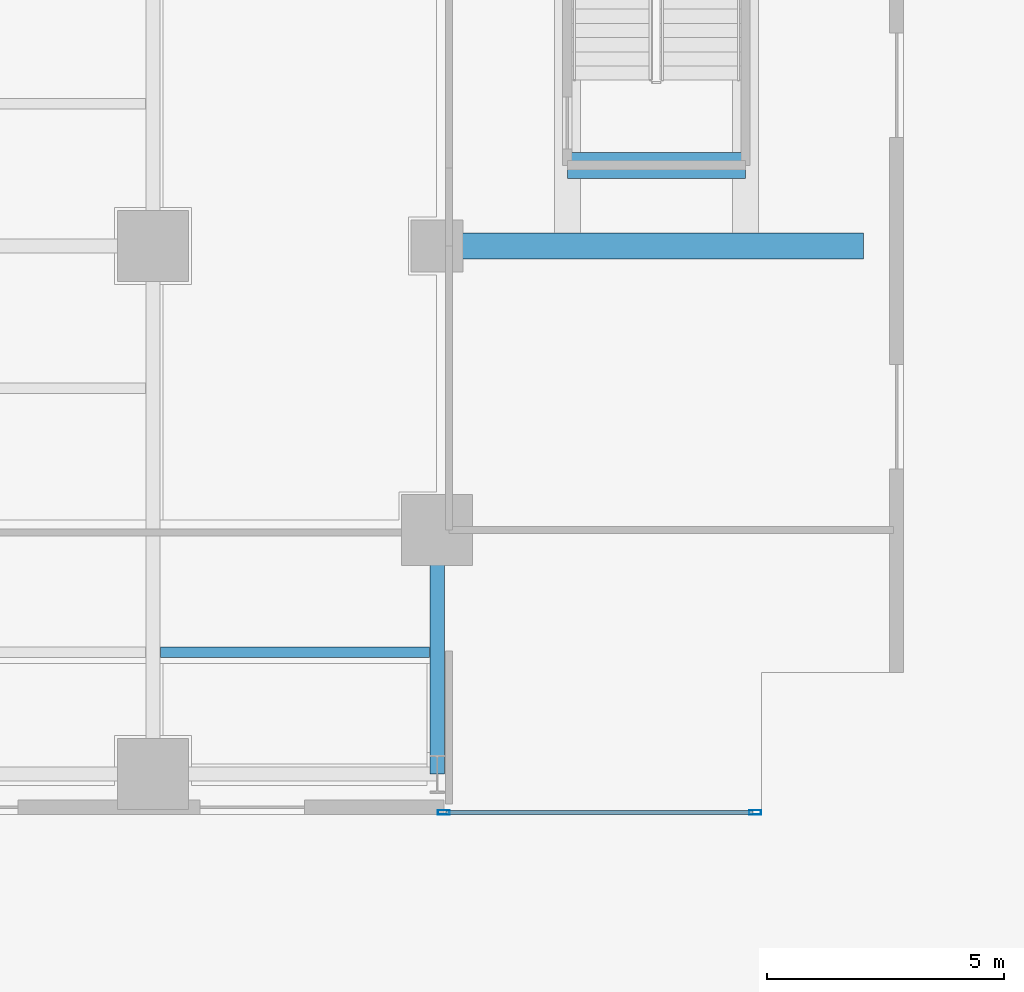
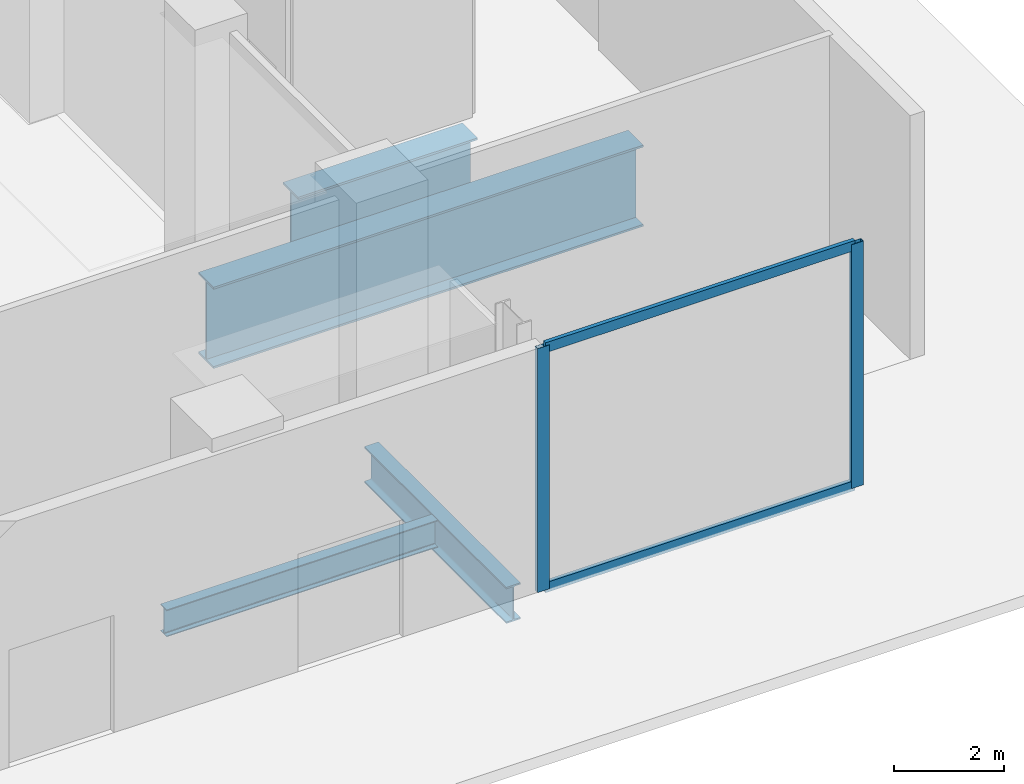
# One storey, part 7 of 27: 4 beams, 4 members, 1 element without a shape of its own.
"""IFC4 building model written with IfcOpenShell, lengths in metres."""

from ifc_helpers import new_model, si_unit, direction, frame, origin, origin_2d, place, context, subcontext, project, spatial, hollow_rectangle, i_section, extrude, material, layer, layer_set, material_profile, profile_set, type_object, element, aggregate, save


model = new_model("IFC4")

# Units and contexts
model_context = context("Model", 3, precision=1e-05, world=origin(), true_north=direction((0.0, 1.0)))
body_context = subcontext(model_context, "Body", "Model", "MODEL_VIEW")
ifc_project = project(units=[si_unit("LENGTHUNIT", "METRE"), si_unit("AREAUNIT", "SQUARE_METRE"), si_unit("VOLUMEUNIT", "CUBIC_METRE"), si_unit("PLANEANGLEUNIT", "RADIAN"), si_unit("MASSUNIT", "GRAM", prefix="KILO"), si_unit("THERMODYNAMICTEMPERATUREUNIT", "KELVIN"), si_unit("POWERUNIT", "WATT")], contexts=[model_context])

# Site, building, storey
site_placement = place(None, origin())
site = spatial("IfcSite", under=ifc_project, at=site_placement, CompositionType="ELEMENT")
building_placement = place(site_placement, origin())
building = spatial("IfcBuilding", under=site, at=building_placement, Name="Svarakhadi Broadcast Tower", CompositionType="ELEMENT")
storey_placement = place(building_placement, origin())
storey = spatial("IfcBuildingStorey", under=building, at=storey_placement, Name="L00", CompositionType="ELEMENT", Elevation=0.0)

# Beam
ifc_material_1 = material(Name="Steel S355J2 (IS 2062 E350C)", Category="steel")
ifc_material_profile_1 = material_profile(ifc_material_1, i_section(OverallWidth=0.219970703125, OverallDepth=0.60009765625, WebThickness=0.011962890625, FlangeThickness=0.01904296875, FilletRadius=0.02392578125, at=origin_2d()), Name="NPB 600x220x122")
ifc_profile_set_1 = profile_set([ifc_material_profile_1], Name="Steel S355J2 (IS 2062 E350C)")
beam_type_1 = type_object("IfcBeamType", Name="Beam_NPB600", PredefinedType="BEAM", material=ifc_profile_set_1)
beam_1_placement = place(storey_placement, frame((47.31005859375, 3.425048828125, -0.64990234375), z_axis=(1.0, 0.0, 0.0), x_axis=(0.0, 1.0, 0.0)))
element("IfcBeam", 1, at=beam_1_placement, inside=storey, type_object=beam_type_1, Name="L00 Secondary Composite Beam SB029", PredefinedType="BEAM", context=body_context, shape_type="SweptSolid", body=[
    extrude(i_section(OverallWidth=0.219970703125, OverallDepth=0.60009765625, WebThickness=0.011962890625, FlangeThickness=0.01904296875, FilletRadius=0.02392578125, at=origin_2d()), origin(), (0.0, 0.0, 1.0), 5.679931640625),
])

# Curtain wall, members
ifc_material_2 = material(Name="Anodised Bronze Aluminium AA 6063-T6", Category="aluminium")
ifc_layer = layer(ifc_material_2, 0.25)
ifc_layer_set = layer_set([ifc_layer], Name="Anodised Bronze Aluminium AA 6063-T6")
curtain_wall_type = type_object("IfcCurtainWallType", Name="CW_Sys_01", PredefinedType="NOTDEFINED", material=ifc_layer_set)
curtain_wall_placement = place(storey_placement, origin())
curtain_wall = element("IfcCurtainWall", 2, at=curtain_wall_placement, inside=storey, type_object=curtain_wall_type, Name="L00 Podium Glazed Curtain Wall 02", PredefinedType="NOTDEFINED")
ifc_material_profile_2 = material_profile(ifc_material_2, hollow_rectangle(XDim=0.094970703125, YDim=0.25, WallThickness=0.006103515625, at=origin_2d()), Name="ALU MULLION 250x95x6")
ifc_profile_set_2 = profile_set([ifc_material_profile_2], Name="Anodised Bronze Aluminium AA 6063-T6")
member_type_1 = type_object("IfcMemberType", Name="CW_Sys_01_Mul", PredefinedType="MULLION", material=ifc_profile_set_2)
member_1_placement = place(storey_placement, frame((59.862548828125, 0.0400390625, 0.0), z_axis=(0.0, 0.0, 1.0), x_axis=(0.0, -1.0, 0.0)))
member_1 = element("IfcMember", 3, at=member_1_placement, type_object=member_type_1, Name="CW-01 mullion 1", PredefinedType="MULLION", context=body_context, shape_type="SweptSolid", body=[
    extrude(hollow_rectangle(XDim=0.094970703125, YDim=0.25, WallThickness=0.006103515625, at=origin_2d()), origin(), (0.0, 0.0, 1.0), 5.39990234375),
])
member_2_placement = place(storey_placement, frame((53.28759765625, 0.0400390625, 0.0), z_axis=(0.0, 0.0, 1.0), x_axis=(0.0, -1.0, 0.0)))
member_2 = element("IfcMember", 4, at=member_2_placement, type_object=member_type_1, Name="CW-01 mullion 2", PredefinedType="MULLION", context=body_context, shape_type="SweptSolid", body=[
    extrude(hollow_rectangle(XDim=0.094970703125, YDim=0.25, WallThickness=0.006103515625, at=origin_2d()), origin(), (0.0, 0.0, 1.0), 5.39990234375),
])
ifc_material_profile_3 = material_profile(ifc_material_2, hollow_rectangle(XDim=0.0849609375, YDim=0.219970703125, WallThickness=0.0048828125, at=origin_2d()), Name="ALU TRANSOM 220x85x5")
ifc_profile_set_3 = profile_set([ifc_material_profile_3], Name="Anodised Bronze Aluminium AA 6063-T6")
member_type_2 = type_object("IfcMemberType", Name="CW_Sys_01_Trn", PredefinedType="USERDEFINED", material=ifc_profile_set_3)
member_3_placement = place(storey_placement, frame((59.81494140625, 0.0400390625, 0.04248046875), z_axis=(-1.0, 0.0, 0.0), x_axis=(0.0, -1.0, 0.0)))
member_3 = element("IfcMember", 5, at=member_3_placement, type_object=member_type_2, Name="CW-01 transom 1.1", ObjectType="TRANSOM", PredefinedType="USERDEFINED", context=body_context, shape_type="SweptSolid", body=[
    extrude(hollow_rectangle(XDim=0.0849609375, YDim=0.219970703125, WallThickness=0.0048828125, at=origin_2d()), origin(), (0.0, 0.0, 1.0), 6.47998046875),
])
member_4_placement = place(storey_placement, frame((59.81494140625, 0.0400390625, 5.357421875), z_axis=(-1.0, 0.0, 0.0), x_axis=(0.0, -1.0, 0.0)))
member_4 = element("IfcMember", 6, at=member_4_placement, type_object=member_type_2, Name="CW-01 transom 1.2", ObjectType="TRANSOM", PredefinedType="USERDEFINED", context=body_context, shape_type="SweptSolid", body=[
    extrude(hollow_rectangle(XDim=0.0849609375, YDim=0.219970703125, WallThickness=0.0048828125, at=origin_2d()), origin(), (0.0, 0.0, 1.0), 6.47998046875),
])
aggregate(curtain_wall, [member_1, member_2, member_3, member_4])

# Beams
ifc_material_profile_4 = material_profile(ifc_material_1, i_section(OverallWidth=0.300048828125, OverallDepth=0.800048828125, WebThickness=0.017578125, FlangeThickness=0.032958984375, FilletRadius=0.030029296875, at=origin_2d()), Name="WPB 800x300x262")
ifc_profile_set_4 = profile_set([ifc_material_profile_4], Name="Steel S355J2 (IS 2062 E350C)")
beam_type_2 = type_object("IfcBeamType", Name="Girder_WPB800", PredefinedType="USERDEFINED", material=ifc_profile_set_4)
beam_2_placement = place(storey_placement, frame((53.14990234375, 0.85009765625, -0.75), z_axis=(0.0, 1.0, 0.0), x_axis=(-1.0, 0.0, 0.0)))
element("IfcBeam", 7, at=beam_2_placement, inside=storey, type_object=beam_type_2, Name="L00 Primary N-S Girder G084", ObjectType="GIRDER", PredefinedType="USERDEFINED", context=body_context, shape_type="SweptSolid", body=[
    extrude(i_section(OverallWidth=0.300048828125, OverallDepth=0.800048828125, WebThickness=0.017578125, FlangeThickness=0.032958984375, FilletRadius=0.030029296875, at=origin_2d()), origin(), (0.0, 0.0, 1.0), 5.14990234375),
])
ifc_material_3 = material(Name="Steel S460ML (IS 2062 E450BR)", Category="steel")
ifc_material_profile_5 = material_profile(ifc_material_3, i_section(OverallWidth=0.550048828125, OverallDepth=1.800048828125, WebThickness=0.028076171875, FlangeThickness=0.044921875, at=origin_2d()), Name="PG 1800x550x45")
ifc_profile_set_5 = profile_set([ifc_material_profile_5], Name="Steel S460ML (IS 2062 E450BR)")
beam_type_3 = type_object("IfcBeamType", Name="Transfer_Girder_TG01", PredefinedType="USERDEFINED", material=ifc_profile_set_5)
beam_3_placement = place(storey_placement, frame((53.14990234375, 12.0, -1.25), z_axis=(1.0, 0.0, 0.0), x_axis=(0.0, 1.0, 0.0)))
element("IfcBeam", 8, at=beam_3_placement, inside=storey, type_object=beam_type_3, Name="L00 Stair ST-04 South Anchor Transfer Girder TG-01", ObjectType="GIRDER", PredefinedType="USERDEFINED", context=body_context, shape_type="SweptSolid", body=[
    extrude(i_section(OverallWidth=0.550048828125, OverallDepth=1.800048828125, WebThickness=0.028076171875, FlangeThickness=0.044921875, at=origin_2d()), origin(), (0.0, 0.0, 1.0), 9.0),
])
beam_4_placement = place(storey_placement, frame((55.89990234375, 13.699951171875, -1.25), z_axis=(1.0, 0.0, 0.0), x_axis=(0.0, 1.0, 0.0)))
element("IfcBeam", 9, at=beam_4_placement, inside=storey, type_object=beam_type_3, Name="L00 Stair ST-04 South Wall Transfer Girder TG-01", ObjectType="GIRDER", PredefinedType="USERDEFINED", context=body_context, shape_type="SweptSolid", body=[
    extrude(i_section(OverallWidth=0.550048828125, OverallDepth=1.800048828125, WebThickness=0.028076171875, FlangeThickness=0.044921875, at=origin_2d()), origin(), (0.0, 0.0, 1.0), 3.760009765625),
])

save(model, "model.ifc")
